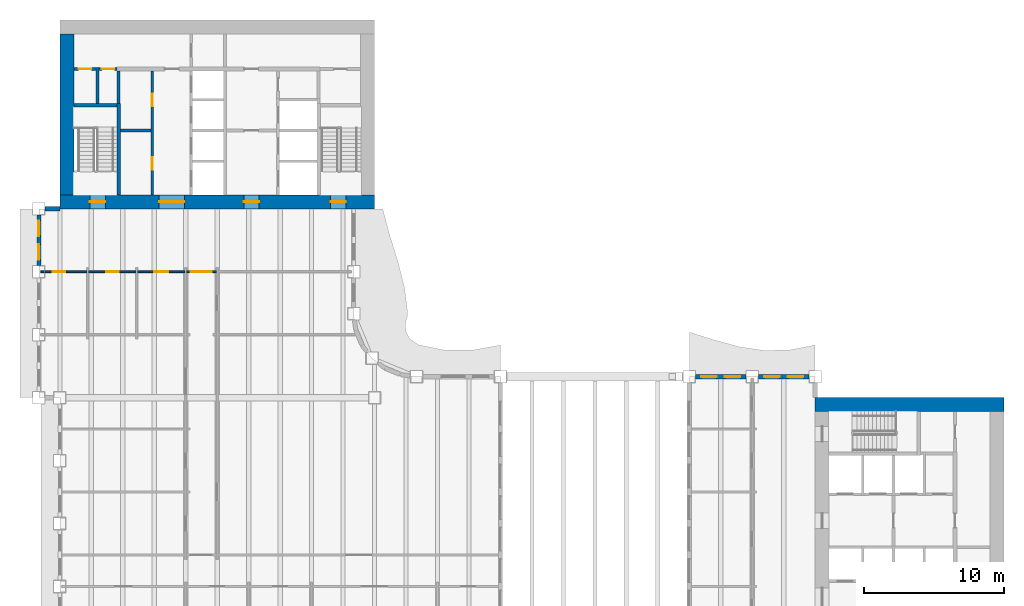
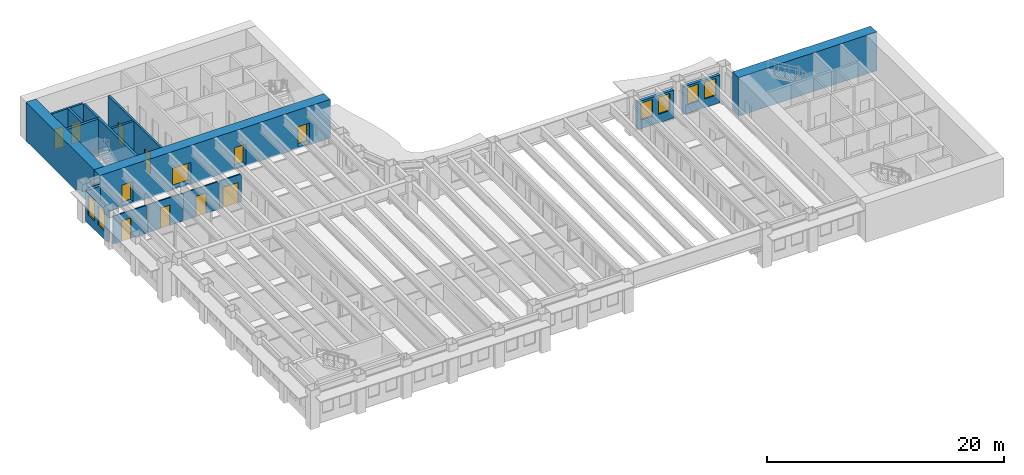
# One storey, part 7 of 13: 19 walls, 12 doors, 6 windows, 18 openings.
"""IFC4 building model written with IfcOpenShell, lengths in metres."""

from ifc_helpers import new_model, si_unit, direction, frame, frame_2d, origin, place, context, subcontext, project, spatial, rectangle, extrude, material, layer, layer_set, type_object, element, fill, save


model = new_model("IFC4")

# Units and contexts
model_context = context("Model", 3, precision=1e-05, world=origin(), true_north=direction((0.0, 1.0)))
body_context = subcontext(model_context, "Body", "Model", "MODEL_VIEW")
ifc_project = project(units=[si_unit("LENGTHUNIT", "METRE"), si_unit("AREAUNIT", "SQUARE_METRE"), si_unit("VOLUMEUNIT", "CUBIC_METRE"), si_unit("PLANEANGLEUNIT", "RADIAN"), si_unit("MASSUNIT", "GRAM", prefix="KILO")], contexts=[model_context])

# Site, building, storey
site_placement = place(None, origin())
site = spatial("IfcSite", under=ifc_project, at=site_placement, CompositionType="ELEMENT")
building_placement = place(site_placement, origin())
building = spatial("IfcBuilding", under=site, at=building_placement, Name="Sennacour Bend Tower", CompositionType="ELEMENT")
storey_placement = place(building_placement, frame((0.0, 0.0, 147.0)))
storey = spatial("IfcBuildingStorey", under=building, at=storey_placement, Name="L33", CompositionType="ELEMENT", Elevation=147.0)

# Wall
ifc_material_1 = material(Name="Concrete C60/75", Category="concrete")
ifc_layer_1 = layer(ifc_material_1, 1.0, Name="Concrete C60/75", Category="concrete")
ifc_layer_set_1 = layer_set([ifc_layer_1], Name="Concrete C60/75")
wall_type_1 = type_object("IfcWallType", Name="Core wall 1000 C60/75", PredefinedType="SHEAR", material=ifc_layer_set_1)
wall_1_placement = place(storey_placement, frame((54.0, 22.0, -0.14990234375), z_axis=(0.0, 0.0, 1.0), x_axis=(1.0, 0.0, 0.0)))
element("IfcWall", 1, at=wall_1_placement, inside=storey, type_object=wall_type_1, Name="Core A wall L33 N", PredefinedType="SHEAR", context=body_context, shape_type="SweptSolid", body=[
    extrude(rectangle(XDim=13.5, YDim=1.0, at=frame_2d((6.75, 0.0))), origin(), (0.0, 0.0, 1.0), 4.0),
])

# Wall, openings, doors
wall_2_placement = place(storey_placement, frame((0.0, 36.5, -0.14990234375), z_axis=(0.0, 0.0, 1.0), x_axis=(1.0, 0.0, 0.0)))
wall_2 = element("IfcWall", 2, at=wall_2_placement, inside=storey, type_object=wall_type_1, Name="Core B wall L33 S", PredefinedType="SHEAR", context=body_context, shape_type="SweptSolid", body=[
    extrude(rectangle(XDim=22.5, YDim=1.0, at=frame_2d((11.25, 0.0))), origin(), (0.0, 0.0, 1.0), 4.0),
])
opening_1_placement = place(wall_2_placement, frame((7.10009765625, 0.0, 0.14990234375)))
opening_1 = element("IfcOpeningElement", 3, at=opening_1_placement, cuts=wall_2, Name="Opening CD", PredefinedType="OPENING", context=body_context, shape_type="SweptSolid", body=[
    extrude(rectangle(XDim=1.800048828125, YDim=2.10009765625, at=frame_2d((0.89990234375, 1.050048828125))), frame((0.0, 0.510009765625, 0.0), z_axis=(0.0, -1.0, 0.0), x_axis=(1.0, 0.0, 0.0)), (0.0, 0.0, 1.0), 1.02001953125),
])
opening_2_placement = place(wall_2_placement, frame((13.14990234375, 0.0, 0.14990234375)))
opening_2 = element("IfcOpeningElement", 4, at=opening_2_placement, cuts=wall_2, Name="Opening FD", PredefinedType="OPENING", context=body_context, shape_type="SweptSolid", body=[
    extrude(rectangle(XDim=1.10009765625, YDim=2.10009765625, at=frame_2d((0.550048828125, 1.050048828125))), frame((0.0, 0.510009765625, 0.0), z_axis=(0.0, -1.0, 0.0), x_axis=(1.0, 0.0, 0.0)), (0.0, 0.0, 1.0), 1.02001953125),
])
opening_3_placement = place(wall_2_placement, frame((2.14990234375, 0.0, 0.14990234375)))
opening_3 = element("IfcOpeningElement", 5, at=opening_3_placement, cuts=wall_2, Name="Opening SD", PredefinedType="OPENING", context=body_context, shape_type="SweptSolid", body=[
    extrude(rectangle(XDim=1.10009765625, YDim=2.10009765625, at=frame_2d((0.550048828125, 1.050048828125))), frame((0.0, 0.510009765625, 0.0), z_axis=(0.0, -1.0, 0.0), x_axis=(1.0, 0.0, 0.0)), (0.0, 0.0, 1.0), 1.02001953125),
])
opening_4_placement = place(wall_2_placement, frame((19.35009765625, 0.0, 0.14990234375)))
opening_4 = element("IfcOpeningElement", 6, at=opening_4_placement, cuts=wall_2, Name="Opening SD", PredefinedType="OPENING", context=body_context, shape_type="SweptSolid", body=[
    extrude(rectangle(XDim=1.10009765625, YDim=2.10009765625, at=frame_2d((0.550048828125, 1.050048828125))), frame((0.0, 0.510009765625, 0.0), z_axis=(0.0, -1.0, 0.0), x_axis=(1.0, 0.0, 0.0)), (0.0, 0.0, 1.0), 1.02001953125),
])
ifc_material_2 = material(Name="Painted steel", Category="steel")
door_type_1 = type_object("IfcDoorType", Name="DR-FFL-1100", OperationType="NOTDEFINED", PredefinedType="DOOR", material=ifc_material_2)
door_1_placement = place(opening_2_placement, origin())
door_1 = element("IfcDoor", 7, at=door_1_placement, inside=storey, type_object=door_type_1, Name="Door", OperationType="SINGLE_SWING_RIGHT", OverallHeight=2.10009765625, OverallWidth=1.10009765625, PredefinedType="DOOR", context=body_context, shape_type="SweptSolid", body=[
    extrude(rectangle(XDim=1.10009765625, YDim=2.10009765625, at=frame_2d((0.550048828125, 1.050048828125))), frame((0.0, 0.02490234375, 0.0), z_axis=(0.0, -1.0, 0.0), x_axis=(1.0, 0.0, 0.0)), (0.0, 0.0, 1.0), 0.050048828125),
])
fill(opening_2, door_1)
door_type_2 = type_object("IfcDoorType", Name="DR-LOBBY-1800", OperationType="NOTDEFINED", PredefinedType="DOOR", material=ifc_material_2)
door_2_placement = place(opening_1_placement, origin())
door_2 = element("IfcDoor", 8, at=door_2_placement, inside=storey, type_object=door_type_2, Name="Door", OperationType="DOUBLE_DOOR_SINGLE_SWING", OverallHeight=2.10009765625, OverallWidth=1.800048828125, PredefinedType="DOOR", context=body_context, shape_type="SweptSolid", body=[
    extrude(rectangle(XDim=1.800048828125, YDim=2.10009765625, at=frame_2d((0.89990234375, 1.050048828125))), frame((0.0, 0.02490234375, 0.0), z_axis=(0.0, -1.0, 0.0), x_axis=(1.0, 0.0, 0.0)), (0.0, 0.0, 1.0), 0.050048828125),
])
fill(opening_1, door_2)
door_type_3 = type_object("IfcDoorType", Name="DR-STAIR-1100", OperationType="NOTDEFINED", PredefinedType="DOOR", material=ifc_material_2)
door_3_placement = place(opening_3_placement, origin())
door_3 = element("IfcDoor", 9, at=door_3_placement, inside=storey, type_object=door_type_3, Name="Door", OperationType="SINGLE_SWING_LEFT", OverallHeight=2.10009765625, OverallWidth=1.10009765625, PredefinedType="DOOR", context=body_context, shape_type="SweptSolid", body=[
    extrude(rectangle(XDim=1.10009765625, YDim=2.10009765625, at=frame_2d((0.550048828125, 1.050048828125))), frame((0.0, 0.02490234375, 0.0), z_axis=(0.0, -1.0, 0.0), x_axis=(1.0, 0.0, 0.0)), (0.0, 0.0, 1.0), 0.050048828125),
])
fill(opening_3, door_3)
door_4_placement = place(opening_4_placement, origin())
door_4 = element("IfcDoor", 10, at=door_4_placement, inside=storey, type_object=door_type_3, Name="Door", OperationType="SINGLE_SWING_RIGHT", OverallHeight=2.10009765625, OverallWidth=1.10009765625, PredefinedType="DOOR", context=body_context, shape_type="SweptSolid", body=[
    extrude(rectangle(XDim=1.10009765625, YDim=2.10009765625, at=frame_2d((0.550048828125, 1.050048828125))), frame((0.0, 0.02490234375, 0.0), z_axis=(0.0, -1.0, 0.0), x_axis=(1.0, 0.0, 0.0)), (0.0, 0.0, 1.0), 0.050048828125),
])
fill(opening_4, door_4)

# Wall
wall_3_placement = place(storey_placement, frame((0.5, 37.0, -0.14990234375), z_axis=(0.0, 0.0, 1.0), x_axis=(0.0, 1.0, 0.0)))
element("IfcWall", 11, at=wall_3_placement, inside=storey, type_object=wall_type_1, Name="Core B wall L33 W", PredefinedType="SHEAR", context=body_context, shape_type="SweptSolid", body=[
    extrude(rectangle(XDim=11.5, YDim=1.0, at=frame_2d((5.75, 0.0))), origin(), (0.0, 0.0, 1.0), 4.0),
])

# Wall, opening, door
ifc_material_3 = material(Name="Plasterboard partition on steel studs", Category="steel")
ifc_layer_2 = layer(ifc_material_3, 0.1201171875, Name="Plasterboard partition on steel studs", Category="steel")
ifc_layer_set_2 = layer_set([ifc_layer_2], Name="Plasterboard partition on steel studs")
wall_type_2 = type_object("IfcWallType", Name="Partition 120", PredefinedType="PARTITIONING", material=ifc_layer_set_2)
wall_4_placement = place(storey_placement, frame((-1.35009765625, 31.5, 0.0), z_axis=(0.0, 0.0, 1.0), x_axis=(1.0, 0.0, 0.0)))
wall_4 = element("IfcWall", 12, at=wall_4_placement, inside=storey, type_object=wall_type_2, Name="P-L33-W076aa", PredefinedType="PARTITIONING", context=body_context, shape_type="SweptSolid", body=[
    extrude(rectangle(XDim=3.2900390625, YDim=0.1201171875, at=frame_2d((1.64501953125, 0.0))), origin(), (0.0, 0.0, 1.0), 2.8701171875),
])
opening_5_placement = place(wall_4_placement, frame((0.85009765625, 0.0, 0.0)))
opening_5 = element("IfcOpeningElement", 13, at=opening_5_placement, cuts=wall_4, Name="Opening WD", PredefinedType="OPENING", context=body_context, shape_type="SweptSolid", body=[
    extrude(rectangle(XDim=0.89990234375, YDim=2.10009765625, at=frame_2d((0.449951171875, 1.050048828125))), frame((0.0, 0.070068359375, 0.0), z_axis=(0.0, -1.0, 0.0), x_axis=(1.0, 0.0, 0.0)), (0.0, 0.0, 1.0), 0.14013671875),
])
ifc_material_4 = material(Name="Timber", Category="wood")
door_type_4 = type_object("IfcDoorType", Name="DR-WC-900", OperationType="NOTDEFINED", PredefinedType="DOOR", material=ifc_material_4)
door_5_placement = place(opening_5_placement, origin())
door_5 = element("IfcDoor", 14, at=door_5_placement, inside=storey, type_object=door_type_4, Name="Door", OperationType="SINGLE_SWING_LEFT", OverallHeight=2.10009765625, OverallWidth=0.89990234375, PredefinedType="DOOR", context=body_context, shape_type="SweptSolid", body=[
    extrude(rectangle(XDim=0.89990234375, YDim=2.10009765625, at=frame_2d((0.449951171875, 1.050048828125))), frame((0.0, 0.02490234375, 0.0), z_axis=(0.0, -1.0, 0.0), x_axis=(1.0, 0.0, 0.0)), (0.0, 0.0, 1.0), 0.050048828125),
])
fill(opening_5, door_5)

wall_5_placement = place(storey_placement, frame((2.06005859375, 31.5, 0.0), z_axis=(0.0, 0.0, 1.0), x_axis=(1.0, 0.0, 0.0)))
wall_5 = element("IfcWall", 15, at=wall_5_placement, inside=storey, type_object=wall_type_2, Name="P-L33-W076ab", PredefinedType="PARTITIONING", context=body_context, shape_type="SweptSolid", body=[
    extrude(rectangle(XDim=3.3798828125, YDim=0.1201171875, at=frame_2d((1.68994140625, 0.0))), origin(), (0.0, 0.0, 1.0), 2.8701171875),
])
opening_6_placement = place(wall_5_placement, frame((1.239990234375, 0.0, 0.0)))
opening_6 = element("IfcOpeningElement", 16, at=opening_6_placement, cuts=wall_5, Name="Opening WD", PredefinedType="OPENING", context=body_context, shape_type="SweptSolid", body=[
    extrude(rectangle(XDim=0.89990234375, YDim=2.10009765625, at=frame_2d((0.449951171875, 1.050048828125))), frame((0.0, 0.070068359375, 0.0), z_axis=(0.0, -1.0, 0.0), x_axis=(1.0, 0.0, 0.0)), (0.0, 0.0, 1.0), 0.14013671875),
])
door_6_placement = place(opening_6_placement, origin())
door_6 = element("IfcDoor", 17, at=door_6_placement, inside=storey, type_object=door_type_4, Name="Door", OperationType="SINGLE_SWING_LEFT", OverallHeight=2.10009765625, OverallWidth=0.89990234375, PredefinedType="DOOR", context=body_context, shape_type="SweptSolid", body=[
    extrude(rectangle(XDim=0.89990234375, YDim=2.10009765625, at=frame_2d((0.449951171875, 1.050048828125))), frame((0.0, 0.02490234375, 0.0), z_axis=(0.0, -1.0, 0.0), x_axis=(1.0, 0.0, 0.0)), (0.0, 0.0, 1.0), 0.050048828125),
])
fill(opening_6, door_6)

wall_6_placement = place(storey_placement, frame((5.56005859375, 31.5, 0.0), z_axis=(0.0, 0.0, 1.0), x_axis=(1.0, 0.0, 0.0)))
wall_6 = element("IfcWall", 18, at=wall_6_placement, inside=storey, type_object=wall_type_2, Name="P-L33-W076ac", PredefinedType="PARTITIONING", context=body_context, shape_type="SweptSolid", body=[
    extrude(rectangle(XDim=3.3798828125, YDim=0.1201171875, at=frame_2d((1.68994140625, 0.0))), origin(), (0.0, 0.0, 1.0), 2.8701171875),
])
opening_7_placement = place(wall_6_placement, frame((1.18994140625, 0.0, 0.0)))
opening_7 = element("IfcOpeningElement", 19, at=opening_7_placement, cuts=wall_6, Name="Opening AD", PredefinedType="OPENING", context=body_context, shape_type="SweptSolid", body=[
    extrude(rectangle(XDim=1.0, YDim=2.10009765625, at=frame_2d((0.5, 1.050048828125))), frame((0.0, 0.070068359375, 0.0), z_axis=(0.0, -1.0, 0.0), x_axis=(1.0, 0.0, 0.0)), (0.0, 0.0, 1.0), 0.14013671875),
])
door_type_5 = type_object("IfcDoorType", Name="DR-ACC-WC-1000", OperationType="NOTDEFINED", PredefinedType="DOOR", material=ifc_material_4)
door_7_placement = place(opening_7_placement, origin())
door_7 = element("IfcDoor", 20, at=door_7_placement, inside=storey, type_object=door_type_5, Name="Door", OperationType="SINGLE_SWING_LEFT", OverallHeight=2.10009765625, OverallWidth=1.0, PredefinedType="DOOR", context=body_context, shape_type="SweptSolid", body=[
    extrude(rectangle(XDim=1.0, YDim=2.10009765625, at=frame_2d((0.5, 1.050048828125))), frame((0.0, 0.02490234375, 0.0), z_axis=(0.0, -1.0, 0.0), x_axis=(1.0, 0.0, 0.0)), (0.0, 0.0, 1.0), 0.050048828125),
])
fill(opening_7, door_7)

ifc_layer_3 = layer(ifc_material_3, 0.1201171875, Name="Plasterboard partition on steel studs", Category="steel")
ifc_layer_set_3 = layer_set([ifc_layer_3], Name="Plasterboard partition on steel studs")
wall_type_3 = type_object("IfcWallType", Name="Partition 120 EI 30", PredefinedType="PARTITIONING", material=ifc_layer_set_3)
wall_7_placement = place(storey_placement, frame((9.06005859375, 31.5, 0.0), z_axis=(0.0, 0.0, 1.0), x_axis=(1.0, 0.0, 0.0)))
wall_7 = element("IfcWall", 21, at=wall_7_placement, inside=storey, type_object=wall_type_3, Name="P-L33-W076ad", PredefinedType="PARTITIONING", context=body_context, shape_type="SweptSolid", body=[
    extrude(rectangle(XDim=2.1298828125, YDim=0.1201171875, at=frame_2d((1.06494140625, 0.0))), origin(), (0.0, 0.0, 1.0), 2.8701171875),
])
opening_8_placement = place(wall_7_placement, frame((0.31494140625, 0.0, 0.0)))
opening_8 = element("IfcOpeningElement", 22, at=opening_8_placement, cuts=wall_7, Name="Opening KD", PredefinedType="OPENING", context=body_context, shape_type="SweptSolid", body=[
    extrude(rectangle(XDim=1.5, YDim=2.10009765625, at=frame_2d((0.75, 1.050048828125))), frame((0.0, 0.070068359375, 0.0), z_axis=(0.0, -1.0, 0.0), x_axis=(1.0, 0.0, 0.0)), (0.0, 0.0, 1.0), 0.14013671875),
])
door_type_6 = type_object("IfcDoorType", Name="DR-CORRIDOR-1500", OperationType="NOTDEFINED", PredefinedType="DOOR", material=ifc_material_2)
door_8_placement = place(opening_8_placement, origin())
door_8 = element("IfcDoor", 23, at=door_8_placement, inside=storey, type_object=door_type_6, Name="Door", OperationType="SINGLE_SWING_LEFT", OverallHeight=2.10009765625, OverallWidth=1.5, PredefinedType="DOOR", context=body_context, shape_type="SweptSolid", body=[
    extrude(rectangle(XDim=1.5, YDim=2.10009765625, at=frame_2d((0.75, 1.050048828125))), frame((0.0, 0.02490234375, 0.0), z_axis=(0.0, -1.0, 0.0), x_axis=(1.0, 0.0, 0.0)), (0.0, 0.0, 1.0), 0.050048828125),
])
fill(opening_8, door_8)

# Walls
ifc_material_5 = material(Name="Fire-rated plasterboard partition on steel studs", Category="steel")
ifc_layer_4 = layer(ifc_material_5, 0.199951171875, Name="Fire-rated plasterboard partition on steel studs", Category="steel")
ifc_layer_set_4 = layer_set([ifc_layer_4], Name="Fire-rated plasterboard partition on steel studs")
wall_type_4 = type_object("IfcWallType", Name="Rated partition 200", PredefinedType="PARTITIONING", material=ifc_layer_set_4)
wall_8_placement = place(storey_placement, frame((2.699951171875, 43.52490234375, 0.0), z_axis=(0.0, 0.0, 1.0), x_axis=(0.0, 1.0, 0.0)))
element("IfcWall", 24, at=wall_8_placement, inside=storey, type_object=wall_type_4, Name="P-L33-W005", PredefinedType="PARTITIONING", context=body_context, shape_type="SweptSolid", body=[
    extrude(rectangle(XDim=2.5751953125, YDim=0.199951171875, at=frame_2d((1.28759765625, 0.0))), origin(), (0.0, 0.0, 1.0), 3.85009765625),
])
wall_9_placement = place(storey_placement, frame((4.199951171875, 43.52490234375, 0.0), z_axis=(0.0, 0.0, 1.0), x_axis=(0.0, 1.0, 0.0)))
element("IfcWall", 25, at=wall_9_placement, inside=storey, type_object=wall_type_4, Name="P-L33-W007", PredefinedType="PARTITIONING", context=body_context, shape_type="SweptSolid", body=[
    extrude(rectangle(XDim=2.3251953125, YDim=0.199951171875, at=frame_2d((1.16259765625, 0.0))), origin(), (0.0, 0.0, 1.0), 3.85009765625),
])

# Wall, openings, doors
wall_10_placement = place(storey_placement, frame((6.60009765625, 37.0, 0.0), z_axis=(0.0, 0.0, 1.0), x_axis=(0.0, 1.0, 0.0)))
wall_10 = element("IfcWall", 26, at=wall_10_placement, inside=storey, type_object=wall_type_4, Name="P-L33-W009", PredefinedType="PARTITIONING", context=body_context, shape_type="SweptSolid", body=[
    extrude(rectangle(XDim=8.85009765625, YDim=0.199951171875, at=frame_2d((4.425048828125, 0.0))), origin(), (0.0, 0.0, 1.0), 3.85009765625),
])
opening_9_placement = place(wall_10_placement, frame((1.800048828125, 0.0, 0.0)))
opening_9 = element("IfcOpeningElement", 27, at=opening_9_placement, cuts=wall_10, Name="Opening SV", PredefinedType="OPENING", context=body_context, shape_type="SweptSolid", body=[
    extrude(rectangle(XDim=0.89990234375, YDim=2.10009765625, at=frame_2d((0.449951171875, 1.050048828125))), frame((0.0, 0.10986328125, 0.0), z_axis=(0.0, -1.0, 0.0), x_axis=(1.0, 0.0, 0.0)), (0.0, 0.0, 1.0), 0.219970703125),
])
opening_10_placement = place(wall_10_placement, frame((6.324951171875, 0.0, 0.0)))
opening_10 = element("IfcOpeningElement", 28, at=opening_10_placement, cuts=wall_10, Name="Opening SV", PredefinedType="OPENING", context=body_context, shape_type="SweptSolid", body=[
    extrude(rectangle(XDim=0.89990234375, YDim=2.10009765625, at=frame_2d((0.449951171875, 1.050048828125))), frame((0.0, 0.10986328125, 0.0), z_axis=(0.0, -1.0, 0.0), x_axis=(1.0, 0.0, 0.0)), (0.0, 0.0, 1.0), 0.219970703125),
])
door_type_7 = type_object("IfcDoorType", Name="DR-SERVICE-900", OperationType="NOTDEFINED", PredefinedType="DOOR", material=ifc_material_2)
door_9_placement = place(opening_9_placement, origin())
door_9 = element("IfcDoor", 29, at=door_9_placement, inside=storey, type_object=door_type_7, Name="Door", OperationType="SINGLE_SWING_LEFT", OverallHeight=2.10009765625, OverallWidth=0.89990234375, PredefinedType="DOOR", context=body_context, shape_type="SweptSolid", body=[
    extrude(rectangle(XDim=0.89990234375, YDim=2.10009765625, at=frame_2d((0.449951171875, 1.050048828125))), frame((0.0, 0.02490234375, 0.0), z_axis=(0.0, -1.0, 0.0), x_axis=(1.0, 0.0, 0.0)), (0.0, 0.0, 1.0), 0.050048828125),
])
fill(opening_9, door_9)
door_10_placement = place(opening_10_placement, origin())
door_10 = element("IfcDoor", 30, at=door_10_placement, inside=storey, type_object=door_type_7, Name="Door", OperationType="SINGLE_SWING_RIGHT", OverallHeight=2.10009765625, OverallWidth=0.89990234375, PredefinedType="DOOR", context=body_context, shape_type="SweptSolid", body=[
    extrude(rectangle(XDim=0.89990234375, YDim=2.10009765625, at=frame_2d((0.449951171875, 1.050048828125))), frame((0.0, 0.02490234375, 0.0), z_axis=(0.0, -1.0, 0.0), x_axis=(1.0, 0.0, 0.0)), (0.0, 0.0, 1.0), 0.050048828125),
])
fill(opening_10, door_10)

# Wall
wall_11_placement = place(storey_placement, frame((4.324951171875, 41.60009765625, 0.0), z_axis=(0.0, 0.0, 1.0), x_axis=(1.0, 0.0, 0.0)))
element("IfcWall", 31, at=wall_11_placement, inside=storey, type_object=wall_type_4, Name="P-L33-W080", PredefinedType="PARTITIONING", context=body_context, shape_type="SweptSolid", body=[
    extrude(rectangle(XDim=2.175048828125, YDim=0.199951171875, at=frame_2d((1.08740234375, 0.0))), origin(), (0.0, 0.0, 1.0), 3.85009765625),
])

# Wall, opening, door
wall_12_placement = place(storey_placement, frame((1.0, 46.0, 0.0), z_axis=(0.0, 0.0, 1.0), x_axis=(1.0, 0.0, 0.0)))
wall_12 = element("IfcWall", 32, at=wall_12_placement, inside=storey, type_object=wall_type_4, Name="P-L33-W088a", PredefinedType="PARTITIONING", context=body_context, shape_type="SweptSolid", body=[
    extrude(rectangle(XDim=1.60009765625, YDim=0.199951171875, at=frame_2d((0.800048828125, 0.0))), origin(), (0.0, 0.0, 1.0), 3.85009765625),
])
opening_11_placement = place(wall_12_placement, frame((0.35009765625, 0.0, 0.0)))
opening_11 = element("IfcOpeningElement", 33, at=opening_11_placement, cuts=wall_12, Name="Opening SV", PredefinedType="OPENING", context=body_context, shape_type="SweptSolid", body=[
    extrude(rectangle(XDim=0.89990234375, YDim=2.10009765625, at=frame_2d((0.449951171875, 1.050048828125))), frame((0.0, 0.10986328125, 0.0), z_axis=(0.0, -1.0, 0.0), x_axis=(1.0, 0.0, 0.0)), (0.0, 0.0, 1.0), 0.219970703125),
])
door_11_placement = place(opening_11_placement, origin())
door_11 = element("IfcDoor", 34, at=door_11_placement, inside=storey, type_object=door_type_7, Name="Door", OperationType="SINGLE_SWING_LEFT", OverallHeight=2.10009765625, OverallWidth=0.89990234375, PredefinedType="DOOR", context=body_context, shape_type="SweptSolid", body=[
    extrude(rectangle(XDim=0.89990234375, YDim=2.10009765625, at=frame_2d((0.449951171875, 1.050048828125))), frame((0.0, 0.02490234375, 0.0), z_axis=(0.0, -1.0, 0.0), x_axis=(1.0, 0.0, 0.0)), (0.0, 0.0, 1.0), 0.050048828125),
])
fill(opening_11, door_11)

wall_13_placement = place(storey_placement, frame((2.800048828125, 46.0, 0.0), z_axis=(0.0, 0.0, 1.0), x_axis=(1.0, 0.0, 0.0)))
wall_13 = element("IfcWall", 35, at=wall_13_placement, inside=storey, type_object=wall_type_4, Name="P-L33-W088b", PredefinedType="PARTITIONING", context=body_context, shape_type="SweptSolid", body=[
    extrude(rectangle(XDim=1.300048828125, YDim=0.199951171875, at=frame_2d((0.64990234375, 0.0))), origin(), (0.0, 0.0, 1.0), 3.85009765625),
])
opening_12_placement = place(wall_13_placement, frame((0.199951171875, 0.0, 0.0)))
opening_12 = element("IfcOpeningElement", 36, at=opening_12_placement, cuts=wall_13, Name="Opening SV", PredefinedType="OPENING", context=body_context, shape_type="SweptSolid", body=[
    extrude(rectangle(XDim=0.89990234375, YDim=2.10009765625, at=frame_2d((0.449951171875, 1.050048828125))), frame((0.0, 0.10986328125, 0.0), z_axis=(0.0, -1.0, 0.0), x_axis=(1.0, 0.0, 0.0)), (0.0, 0.0, 1.0), 0.219970703125),
])
door_12_placement = place(opening_12_placement, origin())
door_12 = element("IfcDoor", 37, at=door_12_placement, inside=storey, type_object=door_type_7, Name="Door", OperationType="SINGLE_SWING_LEFT", OverallHeight=2.10009765625, OverallWidth=0.89990234375, PredefinedType="DOOR", context=body_context, shape_type="SweptSolid", body=[
    extrude(rectangle(XDim=0.89990234375, YDim=2.10009765625, at=frame_2d((0.449951171875, 1.050048828125))), frame((0.0, 0.02490234375, 0.0), z_axis=(0.0, -1.0, 0.0), x_axis=(1.0, 0.0, 0.0)), (0.0, 0.0, 1.0), 0.050048828125),
])
fill(opening_12, door_12)

# Wall, openings, windows
ifc_material_6 = material(Name="Warm limestone cladding", Category="masonry")
ifc_layer_5 = layer(ifc_material_6, 0.050048828125, Name="Warm limestone cladding", Category="masonry")
ifc_material_7 = material(Name="Precast concrete C40/50", Category="concrete")
ifc_layer_6 = layer(ifc_material_7, 0.25, Name="Precast concrete C40/50", Category="concrete")
ifc_layer_set_5 = layer_set([ifc_layer_5, ifc_layer_6], Name="Precast concrete C40/50 with limestone cladding")
wall_type_5 = type_object("IfcWallType", Name="STONE-CLAD PRECAST SPANDREL 300", PredefinedType="STANDARD", material=ifc_layer_set_5)
wall_14_placement = place(storey_placement, frame((53.550048828125, 24.0, 0.0), z_axis=(0.0, 0.0, 1.0), x_axis=(-1.0, 0.0, 0.0)))
wall_14 = element("IfcWall", 38, at=wall_14_placement, inside=storey, type_object=wall_type_5, Name="Stone spandrel and pier wall L33 06.00", PredefinedType="STANDARD", context=body_context, shape_type="SweptSolid", body=[
    extrude(rectangle(XDim=3.60009765625, YDim=0.300048828125, at=frame_2d((1.800048828125, 0.0))), origin(), (0.0, 0.0, 1.0), 2.8701171875),
])
opening_13_placement = place(wall_14_placement, frame((0.39990234375, 0.0, 0.89990234375)))
opening_13 = element("IfcOpeningElement", 39, at=opening_13_placement, cuts=wall_14, Name="Opening W17", PredefinedType="OPENING", context=body_context, shape_type="SweptSolid", body=[
    extrude(rectangle(XDim=1.10009765625, YDim=1.75, at=frame_2d((0.550048828125, 0.875))), frame((0.0, 0.16015625, 0.0), z_axis=(0.0, -1.0, 0.0), x_axis=(1.0, 0.0, 0.0)), (0.0, 0.0, 1.0), 0.320068359375),
])
opening_14_placement = place(wall_14_placement, frame((2.10009765625, 0.0, 0.89990234375)))
opening_14 = element("IfcOpeningElement", 40, at=opening_14_placement, cuts=wall_14, Name="Opening W17", PredefinedType="OPENING", context=body_context, shape_type="SweptSolid", body=[
    extrude(rectangle(XDim=1.10009765625, YDim=1.75, at=frame_2d((0.550048828125, 0.875))), frame((0.0, 0.16015625, 0.0), z_axis=(0.0, -1.0, 0.0), x_axis=(1.0, 0.0, 0.0)), (0.0, 0.0, 1.0), 0.320068359375),
])
ifc_material_8 = material(Name="Clear low-emissivity glass", Category="glass")
window_type_1 = type_object("IfcWindowType", Name="WIN-RIBBON-1100x1750", PartitioningType="SINGLE_PANEL", PredefinedType="WINDOW", material=ifc_material_8)
window_1_placement = place(opening_13_placement, origin())
window_1 = element("IfcWindow", 41, at=window_1_placement, inside=storey, type_object=window_type_1, Name="Ribbon window L33 06.00.0", OverallHeight=1.75, OverallWidth=1.10009765625, PartitioningType="SINGLE_PANEL", PredefinedType="WINDOW", context=body_context, shape_type="SweptSolid", body=[
    extrude(rectangle(XDim=1.10009765625, YDim=1.75, at=frame_2d((0.550048828125, 0.875))), frame((0.0, 0.030029296875, 0.0), z_axis=(0.0, -1.0, 0.0), x_axis=(1.0, 0.0, 0.0)), (0.0, 0.0, 1.0), 0.06005859375),
])
fill(opening_13, window_1)
window_2_placement = place(opening_14_placement, origin())
window_2 = element("IfcWindow", 42, at=window_2_placement, inside=storey, type_object=window_type_1, Name="Ribbon window L33 06.00.1", OverallHeight=1.75, OverallWidth=1.10009765625, PartitioningType="SINGLE_PANEL", PredefinedType="WINDOW", context=body_context, shape_type="SweptSolid", body=[
    extrude(rectangle(XDim=1.10009765625, YDim=1.75, at=frame_2d((0.550048828125, 0.875))), frame((0.0, 0.030029296875, 0.0), z_axis=(0.0, -1.0, 0.0), x_axis=(1.0, 0.0, 0.0)), (0.0, 0.0, 1.0), 0.06005859375),
])
fill(opening_14, window_2)

wall_15_placement = place(storey_placement, frame((49.050048828125, 24.0, 0.0), z_axis=(0.0, 0.0, 1.0), x_axis=(-1.0, 0.0, 0.0)))
wall_15 = element("IfcWall", 43, at=wall_15_placement, inside=storey, type_object=wall_type_5, Name="Stone spandrel and pier wall L33 06.01", PredefinedType="STANDARD", context=body_context, shape_type="SweptSolid", body=[
    extrude(rectangle(XDim=3.60009765625, YDim=0.300048828125, at=frame_2d((1.800048828125, 0.0))), origin(), (0.0, 0.0, 1.0), 2.8701171875),
])
opening_15_placement = place(wall_15_placement, frame((0.39990234375, 0.0, 0.89990234375)))
opening_15 = element("IfcOpeningElement", 44, at=opening_15_placement, cuts=wall_15, Name="Opening W17", PredefinedType="OPENING", context=body_context, shape_type="SweptSolid", body=[
    extrude(rectangle(XDim=1.10009765625, YDim=1.75, at=frame_2d((0.550048828125, 0.875))), frame((0.0, 0.16015625, 0.0), z_axis=(0.0, -1.0, 0.0), x_axis=(1.0, 0.0, 0.0)), (0.0, 0.0, 1.0), 0.320068359375),
])
opening_16_placement = place(wall_15_placement, frame((2.10009765625, 0.0, 0.89990234375)))
opening_16 = element("IfcOpeningElement", 45, at=opening_16_placement, cuts=wall_15, Name="Opening W17", PredefinedType="OPENING", context=body_context, shape_type="SweptSolid", body=[
    extrude(rectangle(XDim=1.10009765625, YDim=1.75, at=frame_2d((0.550048828125, 0.875))), frame((0.0, 0.16015625, 0.0), z_axis=(0.0, -1.0, 0.0), x_axis=(1.0, 0.0, 0.0)), (0.0, 0.0, 1.0), 0.320068359375),
])
window_3_placement = place(opening_15_placement, origin())
window_3 = element("IfcWindow", 46, at=window_3_placement, inside=storey, type_object=window_type_1, Name="Ribbon window L33 06.01.0", OverallHeight=1.75, OverallWidth=1.10009765625, PartitioningType="SINGLE_PANEL", PredefinedType="WINDOW", context=body_context, shape_type="SweptSolid", body=[
    extrude(rectangle(XDim=1.10009765625, YDim=1.75, at=frame_2d((0.550048828125, 0.875))), frame((0.0, 0.030029296875, 0.0), z_axis=(0.0, -1.0, 0.0), x_axis=(1.0, 0.0, 0.0)), (0.0, 0.0, 1.0), 0.06005859375),
])
fill(opening_15, window_3)
window_4_placement = place(opening_16_placement, origin())
window_4 = element("IfcWindow", 47, at=window_4_placement, inside=storey, type_object=window_type_1, Name="Ribbon window L33 06.01.1", OverallHeight=1.75, OverallWidth=1.10009765625, PartitioningType="SINGLE_PANEL", PredefinedType="WINDOW", context=body_context, shape_type="SweptSolid", body=[
    extrude(rectangle(XDim=1.10009765625, YDim=1.75, at=frame_2d((0.550048828125, 0.875))), frame((0.0, 0.030029296875, 0.0), z_axis=(0.0, -1.0, 0.0), x_axis=(1.0, 0.0, 0.0)), (0.0, 0.0, 1.0), 0.06005859375),
])
fill(opening_16, window_4)

# Wall
wall_16_placement = place(storey_placement, frame((0.0, 36.0, 0.0), z_axis=(0.0, 0.0, 1.0), x_axis=(-1.0, 0.0, 0.0)))
element("IfcWall", 48, at=wall_16_placement, inside=storey, type_object=wall_type_5, Name="Stone spandrel and pier wall L33 20.00", PredefinedType="STANDARD", context=body_context, shape_type="SweptSolid", body=[
    extrude(rectangle(XDim=1.050048828125, YDim=0.300048828125, at=frame_2d((0.52490234375, 0.0))), origin(), (0.0, 0.0, 1.0), 2.8701171875),
])

# Wall, openings, windows
wall_17_placement = place(storey_placement, frame((-1.5, 35.550048828125, 0.0), z_axis=(0.0, 0.0, 1.0), x_axis=(0.0, -1.0, 0.0)))
wall_17 = element("IfcWall", 49, at=wall_17_placement, inside=storey, type_object=wall_type_5, Name="Stone spandrel and pier wall L33 21.00", PredefinedType="STANDARD", context=body_context, shape_type="SweptSolid", body=[
    extrude(rectangle(XDim=3.60009765625, YDim=0.300048828125, at=frame_2d((1.800048828125, 0.0))), origin(), (0.0, 0.0, 1.0), 3.14892578125),
])
opening_17_placement = place(wall_17_placement, frame((0.39990234375, 0.0, 0.89990234375)))
opening_17 = element("IfcOpeningElement", 50, at=opening_17_placement, cuts=wall_17, Name="Opening W19", PredefinedType="OPENING", context=body_context, shape_type="SweptSolid", body=[
    extrude(rectangle(XDim=1.10009765625, YDim=2.0, at=frame_2d((0.550048828125, 1.0))), frame((0.0, 0.16015625, 0.0), z_axis=(0.0, -1.0, 0.0), x_axis=(1.0, 0.0, 0.0)), (0.0, 0.0, 1.0), 0.320068359375),
])
opening_18_placement = place(wall_17_placement, frame((2.10009765625, 0.0, 0.89990234375)))
opening_18 = element("IfcOpeningElement", 51, at=opening_18_placement, cuts=wall_17, Name="Opening W19", PredefinedType="OPENING", context=body_context, shape_type="SweptSolid", body=[
    extrude(rectangle(XDim=1.10009765625, YDim=2.0, at=frame_2d((0.550048828125, 1.0))), frame((0.0, 0.16015625, 0.0), z_axis=(0.0, -1.0, 0.0), x_axis=(1.0, 0.0, 0.0)), (0.0, 0.0, 1.0), 0.320068359375),
])
window_type_2 = type_object("IfcWindowType", Name="WIN-RIBBON-1100x2000", PartitioningType="SINGLE_PANEL", PredefinedType="WINDOW", material=ifc_material_8)
window_5_placement = place(opening_17_placement, origin())
window_5 = element("IfcWindow", 52, at=window_5_placement, inside=storey, type_object=window_type_2, Name="Ribbon window L33 21.00.0", OverallHeight=2.0, OverallWidth=1.10009765625, PartitioningType="SINGLE_PANEL", PredefinedType="WINDOW", context=body_context, shape_type="SweptSolid", body=[
    extrude(rectangle(XDim=1.10009765625, YDim=2.0, at=frame_2d((0.550048828125, 1.0))), frame((0.0, 0.030029296875, 0.0), z_axis=(0.0, -1.0, 0.0), x_axis=(1.0, 0.0, 0.0)), (0.0, 0.0, 1.0), 0.06005859375),
])
fill(opening_17, window_5)
window_6_placement = place(opening_18_placement, origin())
window_6 = element("IfcWindow", 53, at=window_6_placement, inside=storey, type_object=window_type_2, Name="Ribbon window L33 21.00.1", OverallHeight=2.0, OverallWidth=1.10009765625, PartitioningType="SINGLE_PANEL", PredefinedType="WINDOW", context=body_context, shape_type="SweptSolid", body=[
    extrude(rectangle(XDim=1.10009765625, YDim=2.0, at=frame_2d((0.550048828125, 1.0))), frame((0.0, 0.030029296875, 0.0), z_axis=(0.0, -1.0, 0.0), x_axis=(1.0, 0.0, 0.0)), (0.0, 0.0, 1.0), 0.06005859375),
])
fill(opening_18, window_6)

# Walls
ifc_layer_7 = layer(ifc_material_1, 0.25, Name="Concrete C60/75", Category="concrete")
ifc_layer_set_6 = layer_set([ifc_layer_7], Name="Concrete C60/75")
wall_type_6 = type_object("IfcWallType", Name="Stair wall 250", PredefinedType="SHEAR", material=ifc_layer_set_6)
wall_18_placement = place(storey_placement, frame((4.199951171875, 37.0, 0.0), z_axis=(0.0, 0.0, 1.0), x_axis=(0.0, 1.0, 0.0)))
element("IfcWall", 54, at=wall_18_placement, inside=storey, type_object=wall_type_6, Name="P-L33-W006", PredefinedType="SHEAR", context=body_context, shape_type="SweptSolid", body=[
    extrude(rectangle(XDim=6.52490234375, YDim=0.25, at=frame_2d((3.262451171875, 0.0))), origin(), (0.0, 0.0, 1.0), 3.85009765625),
])
wall_19_placement = place(storey_placement, frame((1.0, 43.39990234375, 0.0), z_axis=(0.0, 0.0, 1.0), x_axis=(1.0, 0.0, 0.0)))
element("IfcWall", 55, at=wall_19_placement, inside=storey, type_object=wall_type_6, Name="P-L33-W084", PredefinedType="SHEAR", context=body_context, shape_type="SweptSolid", body=[
    extrude(rectangle(XDim=3.074951171875, YDim=0.25, at=frame_2d((1.53759765625, 0.0))), origin(), (0.0, 0.0, 1.0), 3.85009765625),
])

save(model, "model.ifc")
